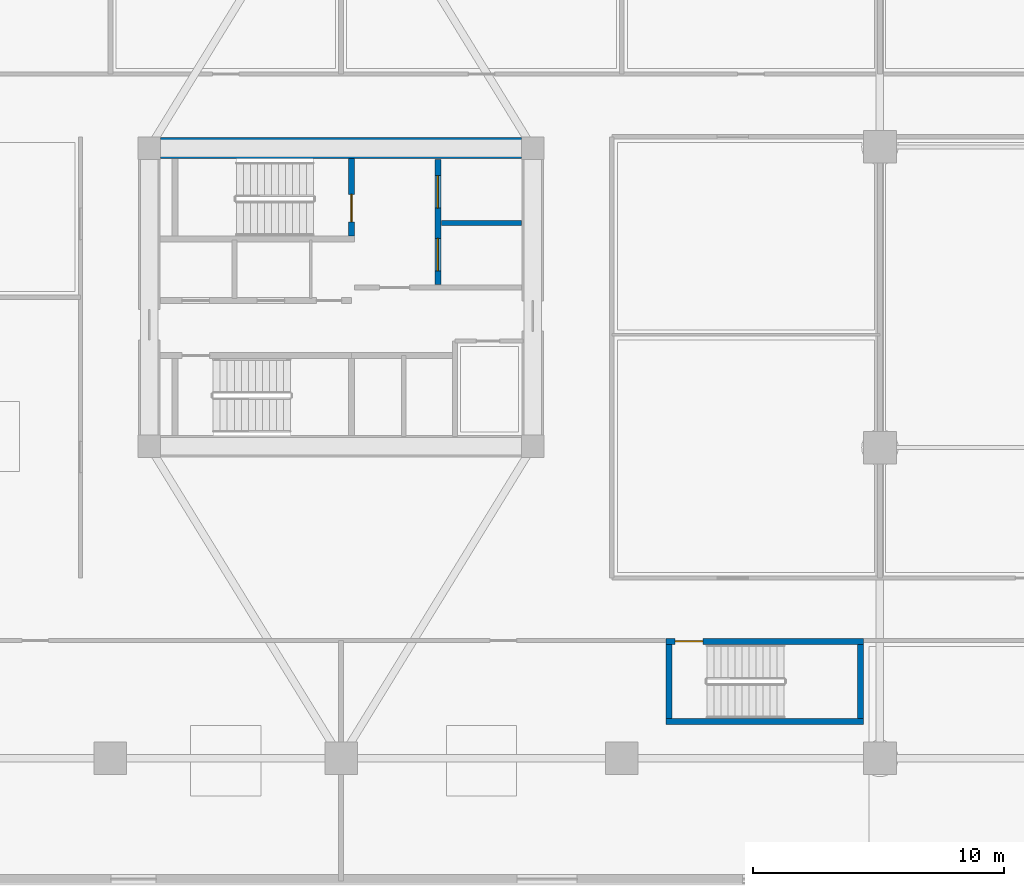
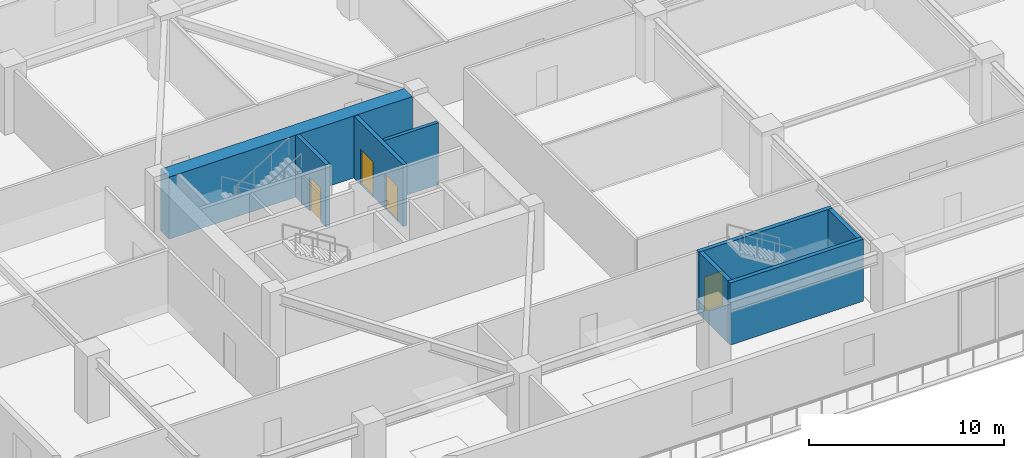
# One storey, part 5 of 22: 8 walls, 4 doors, 4 openings.
"""IFC4 building model written with IfcOpenShell, lengths in metres."""

from ifc_helpers import new_model, si_unit, direction, frame, frame_2d, origin, place, context, subcontext, project, spatial, rectangle, extrude, source, transform, mapped, material, layer, layer_set, type_object, type_shapes, element, fill, save


model = new_model("IFC4")

# Units and contexts
model_context = context("Model", 3, precision=1e-05, world=origin(), true_north=direction((0.0, 1.0)))
body_context = subcontext(model_context, "Body", "Model", "MODEL_VIEW")
ifc_project = project(units=[si_unit("LENGTHUNIT", "METRE"), si_unit("AREAUNIT", "SQUARE_METRE"), si_unit("VOLUMEUNIT", "CUBIC_METRE"), si_unit("PLANEANGLEUNIT", "RADIAN"), si_unit("MASSUNIT", "GRAM", prefix="KILO")], contexts=[model_context])

# Site, building, storey
site_placement = place(None, origin())
site = spatial("IfcSite", under=ifc_project, at=site_placement, CompositionType="ELEMENT")
building_placement = place(site_placement, origin())
building = spatial("IfcBuilding", under=site, at=building_placement, Name="Norrkilde Senior Care Towers", CompositionType="ELEMENT")
storey_placement = place(building_placement, frame((0.0, 0.0, 4.199951171875)))
storey = spatial("IfcBuildingStorey", under=building, at=storey_placement, Name="L01", CompositionType="ELEMENT", Elevation=4.199951171875)

# Wall
ifc_material_1 = material(Name="Concrete C60/75", Category="concrete")
ifc_layer_1 = layer(ifc_material_1, 0.85009765625)
ifc_layer_set_1 = layer_set([ifc_layer_1], Name="Concrete C60/75")
wall_type_1 = type_object("IfcWallType", Name="Core Shear Wall Z1 850", PredefinedType="SHEAR", material=ifc_layer_set_1)
shared_shape_1 = source(origin(), body_context, "Body", "SweptSolid", [
    extrude(rectangle(XDim=14.39990234375, YDim=0.85009765625, at=frame_2d((7.199951171875, 0.0))), origin(), (0.0, 0.0, 1.0), 3.880126953125),
])
type_shapes(wall_type_1, [shared_shape_1])
wall_1_placement = place(storey_placement, frame((-35.199951171875, 5.949951171875, 0.0), z_axis=(0.0, 0.0, 1.0), x_axis=(1.0, 0.0, 0.0)))
element("IfcWall", 1, at=wall_1_placement, inside=storey, type_object=wall_type_1, Name="L01 Core W North Shear Wall", PredefinedType="SHEAR", context=body_context, shape_type="MappedRepresentation", body=[
    mapped(shared_shape_1, transform((0.0, 0.0, 0.0), x_axis=(1.0, 0.0, 0.0), y_axis=(0.0, 1.0, 0.0), z_axis=(0.0, 0.0, 1.0), scale=1.0)),
])

# Wall, openings, doors
ifc_material_2 = material(Name="Concrete C45/55", Category="concrete")
ifc_layer_2 = layer(ifc_material_2, 0.239990234375)
ifc_layer_set_2 = layer_set([ifc_layer_2], Name="Concrete C45/55")
wall_type_2 = type_object("IfcWallType", Name="Lift and Plant Rated Enclosure Partition 240", PredefinedType="PARTITIONING", material=ifc_layer_set_2)
shared_shape_2 = source(origin(), body_context, "Body", "SweptSolid", [
    extrude(rectangle(XDim=5.0, YDim=0.239990234375, at=frame_2d((2.5, 0.0))), origin(), (0.0, 0.0, 1.0), 3.864990234375),
])
type_shapes(wall_type_2, [shared_shape_2])
wall_2_placement = place(storey_placement, frame((-24.139892578125, 0.5, 0.0), z_axis=(0.0, 0.0, 1.0), x_axis=(0.0, 1.0, 0.0)))
wall_2 = element("IfcWall", 2, at=wall_2_placement, inside=storey, type_object=wall_type_2, Name="WL-INT-L01-W-FFLE", PredefinedType="PARTITIONING", context=body_context, shape_type="MappedRepresentation", body=[
    mapped(shared_shape_2, transform((0.0, 0.0, 0.0), x_axis=(1.0, 0.0, 0.0), y_axis=(0.0, 1.0, 0.0), z_axis=(0.0, 0.0, 1.0), scale=1.0)),
])
opening_1_placement = place(wall_2_placement, frame((3.050048828125, 0.0, 0.0)))
opening_1 = element("IfcOpeningElement", 3, at=opening_1_placement, cuts=wall_2, Name="Opening LD-02", PredefinedType="OPENING", context=body_context, shape_type="SweptSolid", body=[
    extrude(rectangle(XDim=1.300048828125, YDim=2.199951171875, at=frame_2d((0.64990234375, 1.10009765625))), frame((0.0, 0.1298828125, 0.0), z_axis=(0.0, -1.0, 0.0), x_axis=(1.0, 0.0, 0.0)), (0.0, 0.0, 1.0), 0.260009765625),
])
opening_2_placement = place(wall_2_placement, frame((0.550048828125, 0.0, 0.0)))
opening_2 = element("IfcOpeningElement", 4, at=opening_2_placement, cuts=wall_2, Name="Opening LD-02", PredefinedType="OPENING", context=body_context, shape_type="SweptSolid", body=[
    extrude(rectangle(XDim=1.300048828125, YDim=2.199951171875, at=frame_2d((0.64990234375, 1.10009765625))), frame((0.0, 0.1298828125, 0.0), z_axis=(0.0, -1.0, 0.0), x_axis=(1.0, 0.0, 0.0)), (0.0, 0.0, 1.0), 0.260009765625),
])
ifc_material_3 = material(Name="Stainless Steel", Category="steel")
door_type_1 = type_object("IfcDoorType", Name="Stretcher and FFL Landing Sliding Door 1300x2200", OperationType="NOTDEFINED", PredefinedType="DOOR", material=ifc_material_3)
shared_shape_3 = source(origin(), body_context, "Body", "SweptSolid", [
    extrude(rectangle(XDim=1.300048828125, YDim=2.199951171875, at=frame_2d((0.64990234375, 1.10009765625))), frame((0.0, 0.02490234375, 0.0), z_axis=(0.0, -1.0, 0.0), x_axis=(1.0, 0.0, 0.0)), (0.0, 0.0, 1.0), 0.050048828125),
])
type_shapes(door_type_1, [shared_shape_3])
door_1_placement = place(opening_1_placement, origin())
door_1 = element("IfcDoor", 5, at=door_1_placement, inside=storey, type_object=door_type_1, Name="L01 Firefighting Lift W1 Landing Door", OperationType="SLIDING_TO_LEFT", OverallHeight=2.199951171875, OverallWidth=1.300048828125, PredefinedType="DOOR", context=body_context, shape_type="MappedRepresentation", body=[
    mapped(shared_shape_3, transform((0.0, 0.0, 0.0), x_axis=(1.0, 0.0, 0.0), y_axis=(0.0, 1.0, 0.0), z_axis=(0.0, 0.0, 1.0), scale=1.0)),
])
fill(opening_1, door_1)
door_2_placement = place(opening_2_placement, origin())
door_2 = element("IfcDoor", 6, at=door_2_placement, inside=storey, type_object=door_type_1, Name="L01 Stretcher Lift W1 Landing Door", OperationType="SLIDING_TO_RIGHT", OverallHeight=2.199951171875, OverallWidth=1.300048828125, PredefinedType="DOOR", context=body_context, shape_type="MappedRepresentation", body=[
    mapped(shared_shape_3, transform((0.0, 0.0, 0.0), x_axis=(1.0, 0.0, 0.0), y_axis=(0.0, 1.0, 0.0), z_axis=(0.0, 0.0, 1.0), scale=1.0)),
])
fill(opening_2, door_2)

# Wall
ifc_layer_3 = layer(ifc_material_2, 0.199951171875)
ifc_layer_set_3 = layer_set([ifc_layer_3], Name="Concrete C45/55")
wall_type_3 = type_object("IfcWallType", Name="Shaft Division and Plant Partition 200", PredefinedType="PARTITIONING", material=ifc_layer_set_3)
shared_shape_4 = source(origin(), body_context, "Body", "SweptSolid", [
    extrude(rectangle(XDim=3.199951171875, YDim=0.199951171875, at=frame_2d((1.60009765625, 0.0))), origin(), (0.0, 0.0, 1.0), 3.864990234375),
])
type_shapes(wall_type_3, [shared_shape_4])
wall_3_placement = place(storey_placement, frame((-24.0, 2.949951171875, 0.0), z_axis=(0.0, 0.0, 1.0), x_axis=(1.0, 0.0, 0.0)))
element("IfcWall", 7, at=wall_3_placement, inside=storey, type_object=wall_type_3, Name="WL-INT-L01-W-FFLDIV", PredefinedType="PARTITIONING", context=body_context, shape_type="MappedRepresentation", body=[
    mapped(shared_shape_4, transform((0.0, 0.0, 0.0), x_axis=(1.0, 0.0, 0.0), y_axis=(0.0, 1.0, 0.0), z_axis=(0.0, 0.0, 1.0), scale=1.0)),
])

# Wall, opening, door
ifc_layer_4 = layer(ifc_material_2, 0.239990234375)
ifc_layer_set_4 = layer_set([ifc_layer_4], Name="Concrete C45/55")
wall_type_4 = type_object("IfcWallType", Name="Shaft and Stair Enclosure Wall 240", PredefinedType="PARTITIONING", material=ifc_layer_set_4)
shared_shape_5 = source(origin(), body_context, "Body", "SweptSolid", [
    extrude(rectangle(XDim=3.074951171875, YDim=0.239990234375, at=frame_2d((1.53759765625, 0.0))), origin(), (0.0, 0.0, 1.0), 3.880126953125),
])
wall_4_placement = place(storey_placement, frame((-27.580078125, 2.449951171875, 0.0), z_axis=(0.0, 0.0, 1.0), x_axis=(0.0, 1.0, 0.0)))
wall_4 = element("IfcWall", 8, at=wall_4_placement, inside=storey, type_object=wall_type_4, Name="WL-INT-L01-W-ST1E", PredefinedType="PARTITIONING", context=body_context, shape_type="MappedRepresentation", body=[
    mapped(shared_shape_5, transform((0.0, 0.0, 0.0), x_axis=(1.0, 0.0, 0.0), y_axis=(0.0, 1.0, 0.0), z_axis=(0.0, 0.0, 1.0), scale=1.0)),
])
opening_3_placement = place(wall_4_placement, frame((0.550048828125, 0.0, 0.0)))
opening_3 = element("IfcOpeningElement", 9, at=opening_3_placement, cuts=wall_4, Name="Opening D-03", PredefinedType="OPENING", context=body_context, shape_type="SweptSolid", body=[
    extrude(rectangle(XDim=1.10009765625, YDim=2.14990234375, at=frame_2d((0.550048828125, 1.074951171875))), frame((0.0, 0.1298828125, 0.0), z_axis=(0.0, -1.0, 0.0), x_axis=(1.0, 0.0, 0.0)), (0.0, 0.0, 1.0), 0.260009765625),
])
ifc_material_4 = material(Name="Galvanised Painted Steel", Category="steel")
door_type_2 = type_object("IfcDoorType", Name="Stairwell Protected Fire Door 1100x2150", OperationType="NOTDEFINED", PredefinedType="DOOR", material=ifc_material_4)
shared_shape_6 = source(origin(), body_context, "Body", "SweptSolid", [
    extrude(rectangle(XDim=1.10009765625, YDim=2.14990234375, at=frame_2d((0.550048828125, 1.074951171875))), frame((0.0, 0.02490234375, 0.0), z_axis=(0.0, -1.0, 0.0), x_axis=(1.0, 0.0, 0.0)), (0.0, 0.0, 1.0), 0.050048828125),
])
type_shapes(door_type_2, [shared_shape_6])
door_3_placement = place(opening_3_placement, origin())
door_3 = element("IfcDoor", 10, at=door_3_placement, inside=storey, type_object=door_type_2, Name="L01 Stair W1 Fire Door", OperationType="SINGLE_SWING_LEFT", OverallHeight=2.14990234375, OverallWidth=1.10009765625, PredefinedType="DOOR", context=body_context, shape_type="MappedRepresentation", body=[
    mapped(shared_shape_6, transform((0.0, 0.0, 0.0), x_axis=(1.0, 0.0, 0.0), y_axis=(0.0, 1.0, 0.0), z_axis=(0.0, 0.0, 1.0), scale=1.0)),
])
fill(opening_3, door_3)

shared_shape_7 = source(origin(), body_context, "Body", "SweptSolid", [
    extrude(rectangle(XDim=7.880126953125, YDim=0.239990234375, at=frame_2d((3.93994140625, 0.0))), origin(), (0.0, 0.0, 1.0), 3.880126953125),
])
wall_5_placement = place(storey_placement, frame((-15.0400390625, -13.72998046875, 0.0), z_axis=(0.0, 0.0, 1.0), x_axis=(1.0, 0.0, 0.0)))
wall_5 = element("IfcWall", 11, at=wall_5_placement, inside=storey, type_object=wall_type_4, Name="WL-INT-L01-STP1-N", PredefinedType="PARTITIONING", context=body_context, shape_type="MappedRepresentation", body=[
    mapped(shared_shape_7, transform((0.0, 0.0, 0.0), x_axis=(1.0, 0.0, 0.0), y_axis=(0.0, 1.0, 0.0), z_axis=(0.0, 0.0, 1.0), scale=1.0)),
])
opening_4_placement = place(wall_5_placement, frame((0.3701171875, 0.0, 0.0)))
opening_4 = element("IfcOpeningElement", 12, at=opening_4_placement, cuts=wall_5, Name="Opening D-03", PredefinedType="OPENING", context=body_context, shape_type="SweptSolid", body=[
    extrude(rectangle(XDim=1.10009765625, YDim=2.14990234375, at=frame_2d((0.550048828125, 1.074951171875))), frame((0.0, 0.1298828125, 0.0), z_axis=(0.0, -1.0, 0.0), x_axis=(1.0, 0.0, 0.0)), (0.0, 0.0, 1.0), 0.260009765625),
])
door_4_placement = place(opening_4_placement, origin())
door_4 = element("IfcDoor", 13, at=door_4_placement, inside=storey, type_object=door_type_2, Name="L01 Podium Stair P1 Door", OperationType="SINGLE_SWING_LEFT", OverallHeight=2.14990234375, OverallWidth=1.10009765625, PredefinedType="DOOR", context=body_context, shape_type="MappedRepresentation", body=[
    mapped(shared_shape_6, transform((0.0, 0.0, 0.0), x_axis=(1.0, 0.0, 0.0), y_axis=(0.0, 1.0, 0.0), z_axis=(0.0, 0.0, 1.0), scale=1.0)),
])
fill(opening_4, door_4)

# Walls
wall_6_placement = place(storey_placement, frame((-15.0400390625, -16.919921875, 0.0), z_axis=(0.0, 0.0, 1.0), x_axis=(1.0, 0.0, 0.0)))
element("IfcWall", 14, at=wall_6_placement, inside=storey, type_object=wall_type_4, Name="WL-INT-L01-STP1-S", PredefinedType="PARTITIONING", context=body_context, shape_type="MappedRepresentation", body=[
    mapped(shared_shape_7, transform((0.0, 0.0, 0.0), x_axis=(1.0, 0.0, 0.0), y_axis=(0.0, 1.0, 0.0), z_axis=(0.0, 0.0, 1.0), scale=1.0)),
])
shared_shape_8 = source(origin(), body_context, "Body", "SweptSolid", [
    extrude(rectangle(XDim=2.949951171875, YDim=0.239990234375, at=frame_2d((1.47509765625, 0.0))), origin(), (0.0, 0.0, 1.0), 3.880126953125),
])
type_shapes(wall_type_4, [shared_shape_5, shared_shape_7, shared_shape_8])
for number, where, z_axis, x_axis, name in (
    (15, (-14.919921875, -16.800048828125, 0.0), (0.0, 0.0, 1.0), (0.0, 1.0, 0.0), "WL-INT-L01-STP1-W"),
    (16, (-7.280029296875, -16.800048828125, 0.0), (0.0, 0.0, 1.0), (0.0, 1.0, 0.0), "WL-INT-L01-STP1-E"),
):
    element("IfcWall", number, at=place(storey_placement, frame(where, z_axis=z_axis, x_axis=x_axis)), inside=storey, type_object=wall_type_4, Name=name, PredefinedType="PARTITIONING", context=body_context, shape_type="MappedRepresentation", body=[
        mapped(shared_shape_8, transform((0.0, 0.0, 0.0), x_axis=(1.0, 0.0, 0.0), y_axis=(0.0, 1.0, 0.0), z_axis=(0.0, 0.0, 1.0), scale=1.0)),
    ])

save(model, "model.ifc")
